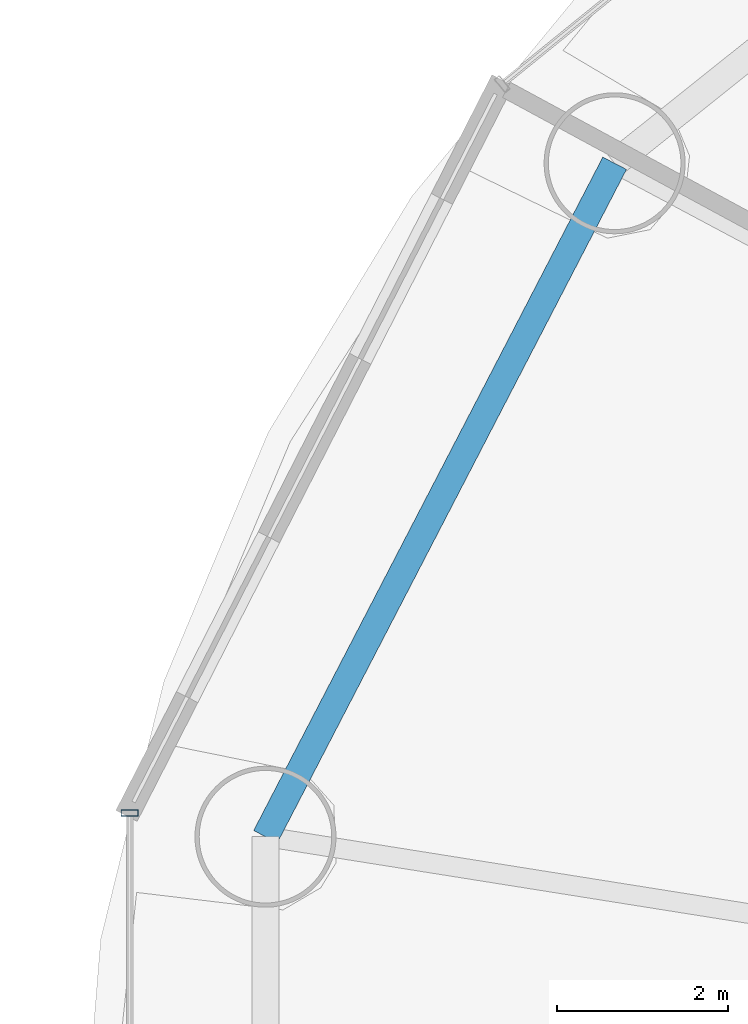
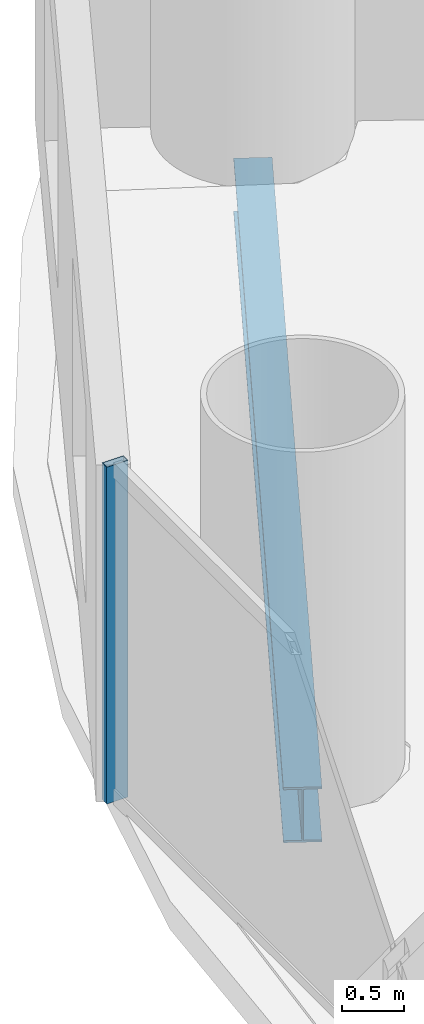
# One storey, part 8 of 29: 1 beam, 1 member, 1 element without a shape of its own.
"""IFC4 building model written with IfcOpenShell, lengths in metres."""

import ifcopenshell
import ifcopenshell.guid

model = None  # the IFC model being written
_history = None  # IfcOwnerHistory: only IFC2X3 demands one
_inside = {}  # id of a spatial element -> (the spatial element, [elements in it])
_under = {}  # id of a project, library or spatial element -> (it, [spatial elements below it])
_declared = {}  # id of a project -> (the project, [libraries it declares])
_typed = {}  # id of a type object -> (the type object, [elements of that type])
_made_of = {}  # id of a material, layer set ... -> (it, [elements and type objects made of it])


def new_model(schema):
    """Start an empty IFC model of exactly this schema.

    Asked for "IFC4X3", IfcOpenShell would pick the latest addendum, in which some entities
    have other attributes; the version numbers below select the first issue.
    IFC2X3 requires an IfcOwnerHistory on every rooted entity: one is made here for all.
    """
    global model, _history
    if schema == "IFC4X3":
        model = ifcopenshell.file(schema_version=(4, 3, 0, 0))
    else:
        model = ifcopenshell.file(schema=schema)
    _inside.clear()
    _under.clear()
    _declared.clear()
    _typed.clear()
    _made_of.clear()
    _history = None
    if model.schema == "IFC2X3":
        org = make("IfcOrganization", Name="unknown")
        user = make(
            "IfcPersonAndOrganization",
            ThePerson=make("IfcPerson", FamilyName="unknown"),
            TheOrganization=org,
        )
        app = make(
            "IfcApplication",
            ApplicationDeveloper=org,
            Version="unknown",
            ApplicationFullName="unknown",
            ApplicationIdentifier="unknown",
        )
        _history = make(
            "IfcOwnerHistory",
            OwningUser=user,
            OwningApplication=app,
            ChangeAction="ADDED",
            CreationDate=0,
        )
    return model


def make(cls, **values):
    """One entity of the class cls with the attributes given. An attribute that is None is left unset."""
    return model.create_entity(
        cls, **{name: value for name, value in values.items() if value is not None}
    )


def rooted(cls, **values):
    """An entity with a GlobalId (a new one), such as an element, a storey or a relation."""
    return make(cls, GlobalId=ifcopenshell.guid.new(), OwnerHistory=_history, **values)


def si_unit(unit_type, name, prefix=None):
    """IfcSIUnit, for example si_unit("LENGTHUNIT", "METRE", prefix="MILLI")."""
    return make("IfcSIUnit", UnitType=unit_type, Prefix=prefix, Name=name)


def assignment(units):
    """IfcUnitAssignment: the units of a project."""
    return None if units is None else make("IfcUnitAssignment", Units=units)


def point(xyz):
    """IfcCartesianPoint."""
    return None if xyz is None else make("IfcCartesianPoint", Coordinates=xyz)


def direction(xyz):
    """IfcDirection."""
    return None if xyz is None else make("IfcDirection", DirectionRatios=xyz)


def frame(location, z_axis=None, x_axis=None):
    """IfcAxis2Placement3D, a coordinate frame: its origin and axes. An axis left out is left unset."""
    return make(
        "IfcAxis2Placement3D",
        Location=point(location),
        Axis=direction(z_axis),
        RefDirection=direction(x_axis),
    )


def frame_2d(location, x_axis=None):
    """IfcAxis2Placement2D, a coordinate frame in the plane: its origin and x axis."""
    return make(
        "IfcAxis2Placement2D", Location=point(location), RefDirection=direction(x_axis)
    )


def origin():
    """The frame at (0, 0, 0) with its axes left unset."""
    return frame((0.0, 0.0, 0.0))


def origin_2d():
    """The frame at (0, 0) in the plane with its x axis left unset."""
    return frame_2d((0.0, 0.0))


def place(relative_to, where):
    """IfcLocalPlacement: puts the frame where relative to a parent placement (None: the world)."""
    return make(
        "IfcLocalPlacement", PlacementRelTo=relative_to, RelativePlacement=where
    )


def context(
    kind, dimensions, precision=None, world=None, true_north=None, identifier=None
):
    """IfcGeometricRepresentationContext, for example the 3D "Model" context."""
    return make(
        "IfcGeometricRepresentationContext",
        ContextIdentifier=identifier,
        ContextType=kind,
        CoordinateSpaceDimension=dimensions,
        Precision=precision,
        WorldCoordinateSystem=world,
        TrueNorth=true_north,
    )


def subcontext(parent, identifier, kind, view, scale=None):
    """IfcGeometricRepresentationSubContext, for example "Body" below "Model"."""
    return make(
        "IfcGeometricRepresentationSubContext",
        ContextIdentifier=identifier,
        ContextType=kind,
        ParentContext=parent,
        TargetScale=scale,
        TargetView=view,
    )


def project(units=None, contexts=None):
    """IfcProject with its units and contexts."""
    return rooted(
        "IfcProject",
        Name="project",
        RepresentationContexts=contexts,
        UnitsInContext=assignment(units),
    )


def spatial(cls, under=None, at=None, **own):
    """A site, building, storey or space (cls), placed at a placement, below another one or the project."""
    s = rooted(cls, ObjectPlacement=at, **own)
    if under is not None:
        _under.setdefault(under.id(), (under, []))[1].append(s)
    return s


def profile(cls, at=None, kind="AREA", **sizes):
    """A parametric profile (cls). Its sizes go by their IFC names, for example OverallWidth=200.0."""
    return make(cls, ProfileType=kind, Position=at, **sizes)


def hollow_rectangle(**sizes):
    """IfcRectangleHollowProfileDef."""
    return profile("IfcRectangleHollowProfileDef", **sizes)


def i_section(**sizes):
    """IfcIShapeProfileDef."""
    return profile("IfcIShapeProfileDef", **sizes)


def extrude(swept, where, along, depth):
    """IfcExtrudedAreaSolid: the profile swept, set in the frame where, extruded along a direction by depth."""
    return make(
        "IfcExtrudedAreaSolid",
        SweptArea=swept,
        Position=where,
        ExtrudedDirection=direction(along),
        Depth=depth,
    )


def shape(context_of_items, identifier, shape_type, items):
    """IfcShapeRepresentation: the items that make up one representation, for example the "Body"."""
    return make(
        "IfcShapeRepresentation",
        ContextOfItems=context_of_items,
        RepresentationIdentifier=identifier,
        RepresentationType=shape_type,
        Items=items,
    )


def source(mapping_origin, context_of_items, identifier, shape_type, items):
    """IfcRepresentationMap: a shape defined once, which mapped items show again and again."""
    return make(
        "IfcRepresentationMap",
        MappingOrigin=mapping_origin,
        MappedRepresentation=shape(context_of_items, identifier, shape_type, items),
    )


def transform(
    local_origin,
    x_axis=None,
    y_axis=None,
    z_axis=None,
    scale=None,
    scale2=None,
    scale3=None,
    uniform=True,
):
    """IfcCartesianTransformationOperator3D, or its non-uniform kind. x_axis, y_axis, z_axis: its Axis1, 2, 3."""
    if uniform:
        return make(
            "IfcCartesianTransformationOperator3D",
            Axis1=direction(x_axis),
            Axis2=direction(y_axis),
            LocalOrigin=point(local_origin),
            Scale=scale,
            Axis3=direction(z_axis),
        )
    return make(
        "IfcCartesianTransformationOperator3DnonUniform",
        Axis1=direction(x_axis),
        Axis2=direction(y_axis),
        LocalOrigin=point(local_origin),
        Scale=scale,
        Axis3=direction(z_axis),
        Scale2=scale2,
        Scale3=scale3,
    )


def mapped(mapping_source, mapping_target):
    """IfcMappedItem: shows the shape of a source again, moved by a transform."""
    return make(
        "IfcMappedItem", MappingSource=mapping_source, MappingTarget=mapping_target
    )


def material(Name=None, Category=None):
    """IfcMaterial."""
    return make("IfcMaterial", Name=Name, Category=Category)


def material_profile(
    of_material, cross_section, Name=None, Category=None, Priority=None
):
    """IfcMaterialProfile: a cross section and its material."""
    return make(
        "IfcMaterialProfile",
        Name=Name,
        Material=of_material,
        Profile=cross_section,
        Priority=Priority,
        Category=Category,
    )


def profile_set(profiles, Name=None, composite=None):
    """IfcMaterialProfileSet."""
    return make(
        "IfcMaterialProfileSet",
        Name=Name,
        MaterialProfiles=profiles,
        CompositeProfile=composite,
    )


def made_of(thing, what):
    """Note that an element or type object is made of a material, layer set ...; save() writes the relation."""
    if what is not None:
        _made_of.setdefault(what.id(), (what, []))[1].append(thing)
    return thing


def type_object(cls, material=None, **own):
    """A type object (cls), such as IfcWallType, which elements share."""
    return made_of(rooted(cls, **own), material)


def element(
    cls,
    number,
    at=None,
    inside=None,
    cuts=None,
    type_object=None,
    material=None,
    context=None,
    identifier="Body",
    shape_type=None,
    held_by="IfcProductDefinitionShape",
    body=None,
    shapes=None,
    **own,
):
    """One element of the class cls, such as IfcWall. Its Tag is "e" and its number.

    at: its placement. inside: the storey or other place that contains it. cuts: it is an
    opening in that element (IfcRelVoidsElement). A single representation is given by context,
    identifier, shape_type and body (its items); several are given by shapes. held_by: the class
    of the entity that holds the representations. save() writes the other relations.
    """
    e = rooted(cls, Tag="e%d" % number, ObjectPlacement=at, **own)
    if body is not None:
        shapes = [shape(context, identifier, shape_type, body)]
    if shapes is not None:
        e.Representation = make(held_by, Representations=shapes)
    if inside is not None:
        _inside.setdefault(inside.id(), (inside, []))[1].append(e)
    if cuts is not None:
        rooted(
            "IfcRelVoidsElement", RelatingBuildingElement=cuts, RelatedOpeningElement=e
        )
    if type_object is not None:
        _typed.setdefault(type_object.id(), (type_object, []))[1].append(e)
    return made_of(e, material)


def aggregate(whole, parts):
    """IfcRelAggregates: a whole, such as a stair, and the parts it consists of."""
    return rooted("IfcRelAggregates", RelatingObject=whole, RelatedObjects=parts)


def save(model, path):
    """Write the relations noted so far, then the file.

    IfcRelAggregates (storeys below a building ...), IfcRelContainedInSpatialStructure (elements
    in a storey), IfcRelDefinesByType, IfcRelAssociatesMaterial and IfcRelDeclares: one each for
    every whole, place, type object, material and project.
    """
    for whole, parts in _under.values():
        aggregate(whole, parts)
    for where, things in _inside.values():
        rooted(
            "IfcRelContainedInSpatialStructure",
            RelatedElements=things,
            RelatingStructure=where,
        )
    for kind, things in _typed.values():
        rooted("IfcRelDefinesByType", RelatedObjects=things, RelatingType=kind)
    for what, things in _made_of.values():
        rooted("IfcRelAssociatesMaterial", RelatedObjects=things, RelatingMaterial=what)
    for by, libraries in _declared.values():
        rooted("IfcRelDeclares", RelatingContext=by, RelatedDefinitions=libraries)
    model.write(path)


model = new_model("IFC4")

# Units and contexts
model_context = context("Model", 3, precision=1e-05, world=origin(), true_north=direction((-0.2419218956, 0.970295726276)))
body_context = subcontext(model_context, "Body", "Model", "MODEL_VIEW")
ifc_project = project(units=[si_unit("LENGTHUNIT", "METRE"), si_unit("AREAUNIT", "SQUARE_METRE"), si_unit("VOLUMEUNIT", "CUBIC_METRE"), si_unit("PLANEANGLEUNIT", "RADIAN"), si_unit("MASSUNIT", "GRAM", prefix="KILO")], contexts=[model_context])

# Site, building, storey
site_placement = place(None, origin())
site = spatial("IfcSite", under=ifc_project, at=site_placement, CompositionType="ELEMENT")
building_placement = place(site_placement, origin())
building = spatial("IfcBuilding", under=site, at=building_placement, Name="Cobrevalo Terracotta Tower", CompositionType="ELEMENT")
storey_placement = place(building_placement, frame((0.0, 0.0, 49.199951171875)))
storey = spatial("IfcBuildingStorey", under=building, at=storey_placement, Name="L12", CompositionType="ELEMENT", Elevation=49.199951171875)

# Beam
ifc_material_1 = material(Name="Steel S355", Category="steel")
ifc_material_profile_1 = material_profile(ifc_material_1, i_section(OverallWidth=0.31201171875, OverallDepth=0.54296875, WebThickness=0.0126953125, FlangeThickness=0.020263671875, at=origin_2d()), Name="W 530x150")
ifc_profile_set_1 = profile_set([ifc_material_profile_1], Name="Steel S355")
beam_type = type_object("IfcBeamType", Name="Structural Spandrel W 530x150 (Steel S355)", PredefinedType="SPANDREL", material=ifc_profile_set_1)
beam_placement = place(storey_placement, frame((15.25927734375, 38.939208984375, -0.551513671875), z_axis=(-0.460285838799, -0.88777077368, 0.0), x_axis=(0.88777077368, -0.460285838799, 0.0)))
element("IfcBeam", 1, at=beam_placement, inside=storey, type_object=beam_type, Name="L12 perimeter ring spandrel 07", PredefinedType="SPANDREL", context=body_context, shape_type="SweptSolid", body=[
    extrude(i_section(OverallWidth=0.31201171875, OverallDepth=0.54296875, WebThickness=0.0126953125, FlangeThickness=0.020263671875, at=origin_2d()), origin(), (0.0, 0.0, 1.0), 8.8720703125),
])

# Curtain wall, member
ifc_material_2 = material(Name="Anodized aluminium", Category="aluminium")
curtain_wall_type = type_object("IfcCurtainWallType", Name="Lower-tower unitised acoustic low-E curtain wall CW-U1", PredefinedType="NOTDEFINED", material=ifc_material_2)
curtain_wall_placement = place(storey_placement, origin())
curtain_wall = element("IfcCurtainWall", 2, at=curtain_wall_placement, inside=storey, type_object=curtain_wall_type, Name="L12 curtain wall CW-L12-S08", PredefinedType="NOTDEFINED")
ifc_material_profile_2 = material_profile(ifc_material_2, hollow_rectangle(XDim=0.074951171875, YDim=0.199951171875, WallThickness=0.0048828125, at=origin_2d()), Name="CWM 75x200")
ifc_profile_set_2 = profile_set([ifc_material_profile_2], Name="Anodized aluminium")
member_type = type_object("IfcMemberType", Name="Lower/mid tower unitised mullion 75x200", PredefinedType="MULLION", material=ifc_profile_set_2)
shared_shape = source(origin(), body_context, "Body", "SweptSolid", [
    extrude(hollow_rectangle(XDim=0.074951171875, YDim=0.199951171875, WallThickness=0.0048828125, at=origin_2d()), origin(), (0.0, 0.0, 1.0), 3.320068359375),
])
member_placement = place(storey_placement, frame((9.586669921875, 31.3388671875, 0.0), z_axis=(0.0, 0.0, 1.0), x_axis=(0.0, -1.0, 0.0)))
member = element("IfcMember", 3, at=member_placement, type_object=member_type, Name="CW-L12-S08 vertical mullion 01", PredefinedType="MULLION", context=body_context, shape_type="MappedRepresentation", body=[
    mapped(shared_shape, transform((0.0, 0.0, 0.0), scale=1.0)),
])
aggregate(curtain_wall, [member])

save(model, "model.ifc")
